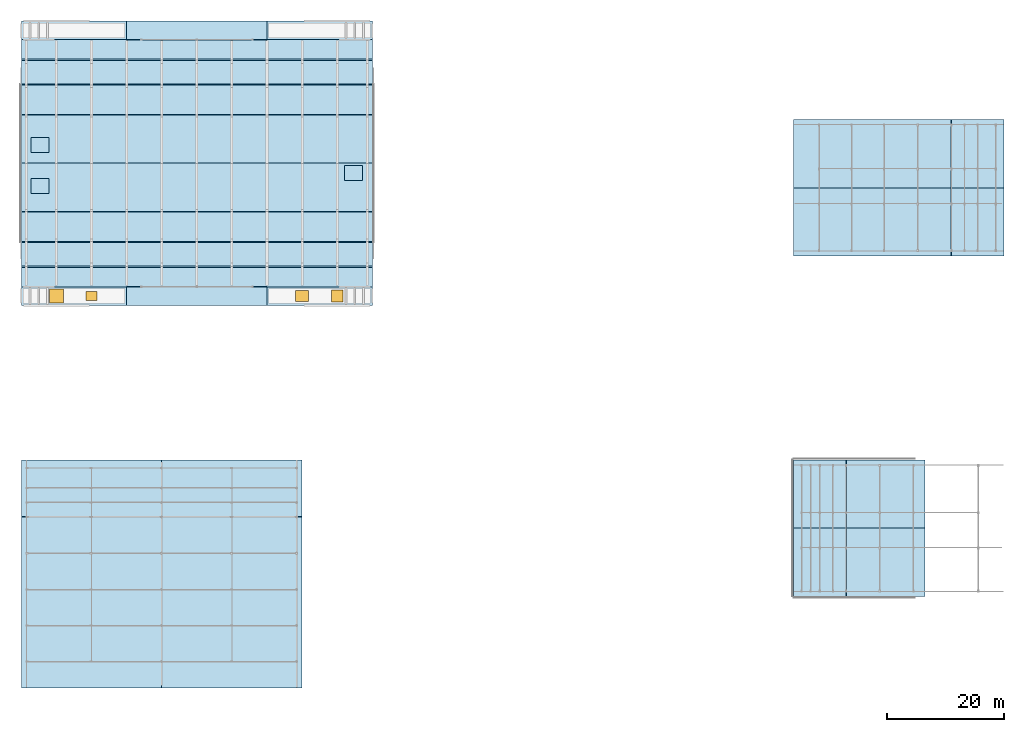
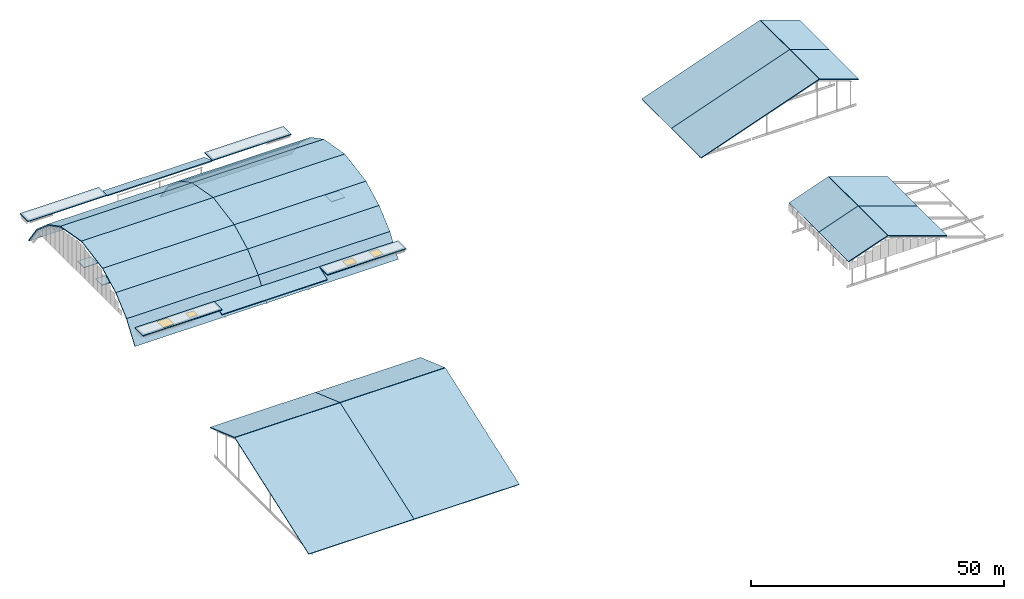
# One storey, part 37 of 42: 37 slabs, 4 windows, 4 openings.
"""IFC4 building model written with IfcOpenShell, lengths in metres."""

from ifc_helpers import new_model, si_unit, direction, frame, origin, origin_2d, place, context, subcontext, project, spatial, polyline, rectangle, outline, extrude, material, layer, layer_set, type_object, element, fill, save


model = new_model("IFC4")

# Units and contexts
model_context = context("Model", 3, precision=1e-05, world=origin(), true_north=direction((0.0, 1.0)))
body_context = subcontext(model_context, "Body", "Model", "MODEL_VIEW")
ifc_project = project(units=[si_unit("LENGTHUNIT", "METRE"), si_unit("AREAUNIT", "SQUARE_METRE"), si_unit("VOLUMEUNIT", "CUBIC_METRE"), si_unit("PLANEANGLEUNIT", "RADIAN"), si_unit("MASSUNIT", "GRAM", prefix="KILO")], contexts=[model_context])

# Site, building, storey
site_placement = place(None, origin())
site = spatial("IfcSite", under=ifc_project, at=site_placement, CompositionType="ELEMENT")
building_placement = place(site_placement, origin())
building = spatial("IfcBuilding", under=site, at=building_placement, Name="Kelmvaro Bay Concert Hall", CompositionType="ELEMENT")
storey_placement = place(building_placement, frame((0.0, 0.0, 26.699951171875)))
storey = spatial("IfcBuildingStorey", under=building, at=storey_placement, Name="RF", CompositionType="ELEMENT", Elevation=26.699951171875)

# Slabs
ifc_material_1 = material(Name="Concrete C40/50", Category="concrete")
ifc_layer_1 = layer(ifc_material_1, 0.2099609375)
ifc_layer_set_1 = layer_set([ifc_layer_1], Name="Concrete C40/50")
slab_type_1 = type_object("IfcSlabType", Name="Crystal Sloped Concrete Roof Slab 210", PredefinedType="ROOF", material=ifc_layer_set_1)
slab_1_placement = place(storey_placement, frame((0.0, 0.0, -12.89990234375), z_axis=(0.0, -0.333806298231, 0.942641689753), x_axis=(1.0, 0.0, 0.0)))
element("IfcSlab", 1, at=slab_1_placement, inside=storey, type_object=slab_type_1, Name="V3 Asymmetric Crystal Roof Primary 1", PredefinedType="ROOF", context=body_context, shape_type="SweptSolid", body=[
    extrude(outline(polyline([(0.0, 0.0), (24.0, 0.0), (24.0, 30.98216262071167), (0.0, 30.98216262071167), (0.0, 0.0)])), origin(), (0.0, 0.0, -1.0), 0.2099609375),
])
slab_2_placement = place(storey_placement, frame((0.0, 29.294921875, -2.557861328125), z_axis=(0.0, 0.333808513389, 0.942640905323), x_axis=(1.0, 0.0, 0.0)))
element("IfcSlab", 2, at=slab_2_placement, inside=storey, type_object=slab_type_1, Name="V3 Asymmetric Crystal Roof Counter 1", PredefinedType="ROOF", context=body_context, shape_type="SweptSolid", body=[
    extrude(outline(polyline([(0.0, 0.0), (24.0, 0.0), (24.0, 10.295625906102293), (0.0, 10.295625906102293), (0.0, 0.0)])), origin(), (0.0, 0.0, -1.0), 0.2099609375),
])
slab_3_placement = place(storey_placement, frame((24.0, 0.0, -12.89990234375), z_axis=(0.0, -0.333806298231, 0.942641689753), x_axis=(1.0, 0.0, 0.0)))
element("IfcSlab", 3, at=slab_3_placement, inside=storey, type_object=slab_type_1, Name="V3 Asymmetric Crystal Roof Primary 2", PredefinedType="ROOF", context=body_context, shape_type="SweptSolid", body=[
    extrude(outline(polyline([(0.0, 0.0), (24.0, 0.0), (24.0, 30.98216262071167), (0.0, 30.98216262071167), (0.0, 0.0)])), origin(), (0.0, 0.0, -1.0), 0.2099609375),
])
slab_4_placement = place(storey_placement, frame((24.0, 29.294921875, -2.557861328125), z_axis=(0.0, 0.333808513389, 0.942640905323), x_axis=(1.0, 0.0, 0.0)))
element("IfcSlab", 4, at=slab_4_placement, inside=storey, type_object=slab_type_1, Name="V3 Asymmetric Crystal Roof Counter 2", PredefinedType="ROOF", context=body_context, shape_type="SweptSolid", body=[
    extrude(outline(polyline([(0.0, 0.0), (24.0, 0.0), (24.0, 10.295625906102293), (0.0, 10.295625906102293), (0.0, 0.0)])), origin(), (0.0, 0.0, -1.0), 0.2099609375),
])
slab_5_placement = place(storey_placement, frame((132.0, 73.800048828125, -8.39990234375), z_axis=(-0.333802888806, 0.0, 0.942642897085), x_axis=(0.942642897085, 0.0, 0.333802888806)))
element("IfcSlab", 5, at=slab_5_placement, inside=storey, type_object=slab_type_1, Name="V2 Asymmetric Crystal Roof West 1", PredefinedType="ROOF", context=body_context, shape_type="SweptSolid", body=[
    extrude(outline(polyline([(0.0, 0.0), (28.59521692505053, 0.0), (28.59521692505053, 11.699951171875), (0.0, 11.699951171875), (0.0, 0.0)])), origin(), (0.0, 0.0, -1.0), 0.2099609375),
])
slab_6_placement = place(storey_placement, frame((159.044921875, 73.800048828125, 1.145263671875), z_axis=(0.333805278093, 0.0, 0.942642051002), x_axis=(0.942642051002, 0.0, -0.333805278093)))
element("IfcSlab", 6, at=slab_6_placement, inside=storey, type_object=slab_type_1, Name="V2 Asymmetric Crystal Roof East 1", PredefinedType="ROOF", context=body_context, shape_type="SweptSolid", body=[
    extrude(outline(polyline([(0.0, 0.0), (9.499977340796704, 0.0), (9.499977340796704, 11.699951171875002), (0.0, 11.699951171875002), (0.0, 0.0)])), origin(), (0.0, 0.0, -1.0), 0.2099609375),
])
slab_7_placement = place(storey_placement, frame((132.0, 85.5, -8.39990234375), z_axis=(-0.333802888806, 0.0, 0.942642897085), x_axis=(0.942642897085, 0.0, 0.333802888806)))
element("IfcSlab", 7, at=slab_7_placement, inside=storey, type_object=slab_type_1, Name="V2 Asymmetric Crystal Roof West 2", PredefinedType="ROOF", context=body_context, shape_type="SweptSolid", body=[
    extrude(outline(polyline([(0.0, 0.0), (28.59521692505053, 0.0), (28.59521692505053, 11.699951171875), (0.0, 11.699951171875), (0.0, 0.0)])), origin(), (0.0, 0.0, -1.0), 0.2099609375),
])
for number, where, z_axis, x_axis, name in (
    (8, (159.044921875, 85.5, 1.145263671875), (0.333805278093, 0.0, 0.942642051002), (0.942642051002, 0.0, -0.333805278093), "V2 Asymmetric Crystal Roof East 2"),
    (9, (132.0, 15.60009765625, 1.874267578125), (-0.333805278093, 0.0, 0.942642051002), (0.942642051002, 0.0, 0.333805278093), "V4 Asymmetric Crystal Roof West 1"),
):
    element("IfcSlab", number, at=place(storey_placement, frame(where, z_axis=z_axis, x_axis=x_axis)), inside=storey, type_object=slab_type_1, Name=name, PredefinedType="ROOF", context=body_context, shape_type="SweptSolid", body=[
        extrude(outline(polyline([(0.0, 0.0), (9.499977340796704, 0.0), (9.499977340796704, 11.699951171875002), (0.0, 11.699951171875002), (0.0, 0.0)])), origin(), (0.0, 0.0, -1.0), 0.2099609375),
    ])
slab_8_placement = place(storey_placement, frame((141.044921875, 15.60009765625, 5.04541015625), z_axis=(0.333804081456, 0.0, 0.94264247475), x_axis=(0.94264247475, 0.0, -0.333804081456)))
element("IfcSlab", 10, at=slab_8_placement, inside=storey, type_object=slab_type_1, Name="V4 Asymmetric Crystal Roof Upper East 1", PredefinedType="ROOF", context=body_context, shape_type="SweptSolid", body=[
    extrude(outline(polyline([(0.0, 0.0), (14.273787236848696, 0.0), (14.273787236848696, 11.699951171875), (0.0, 11.699951171875), (0.0, 0.0)])), origin(), (0.0, 0.0, -1.0), 0.2099609375),
])
slab_9_placement = place(storey_placement, frame((132.0, 27.300048828125, 1.874267578125), z_axis=(-0.333805278093, 0.0, 0.942642051002), x_axis=(0.942642051002, 0.0, 0.333805278093)))
element("IfcSlab", 11, at=slab_9_placement, inside=storey, type_object=slab_type_1, Name="V4 Asymmetric Crystal Roof West 2", PredefinedType="ROOF", context=body_context, shape_type="SweptSolid", body=[
    extrude(outline(polyline([(0.0, 0.0), (9.499977340796704, 0.0), (9.499977340796704, 11.699951171875002), (0.0, 11.699951171875002), (0.0, 0.0)])), origin(), (0.0, 0.0, -1.0), 0.2099609375),
])
slab_10_placement = place(storey_placement, frame((141.044921875, 27.300048828125, 5.04541015625), z_axis=(0.333804081456, 0.0, 0.94264247475), x_axis=(0.94264247475, 0.0, -0.333804081456)))
element("IfcSlab", 12, at=slab_10_placement, inside=storey, type_object=slab_type_1, Name="V4 Asymmetric Crystal Roof Upper East 2", PredefinedType="ROOF", context=body_context, shape_type="SweptSolid", body=[
    extrude(outline(polyline([(0.0, 0.0), (14.273787236848696, 0.0), (14.273787236848696, 11.699951171875), (0.0, 11.699951171875), (0.0, 0.0)])), origin(), (0.0, 0.0, -1.0), 0.2099609375),
])
slab_11_placement = place(storey_placement, frame((18.0, 65.39990234375, -1.1259765625), z_axis=(0.0, -0.333758725769, 0.942658534663), x_axis=(1.0, 0.0, 0.0)))
element("IfcSlab", 13, at=slab_11_placement, inside=storey, type_object=slab_type_1, Name="V1 Crystal Shoulder Roof South", PredefinedType="ROOF", context=body_context, shape_type="SweptSolid", body=[
    extrude(outline(polyline([(0.0, 0.0), (24.0, 0.0), (24.0, 3.3736243446697447), (0.0, 3.3736243446697447), (0.0, 0.0)])), origin(), (0.0, 0.0, -1.0), 0.2099609375),
])
slab_12_placement = place(storey_placement, frame((18.0, 110.820068359375, 0.0), z_axis=(0.0, 0.333781495512, 0.942650472473), x_axis=(1.0, 0.0, 0.0)))
element("IfcSlab", 14, at=slab_12_placement, inside=storey, type_object=slab_type_1, Name="V1 Crystal Shoulder Roof North", PredefinedType="ROOF", context=body_context, shape_type="SweptSolid", body=[
    extrude(outline(polyline([(0.0, 0.0), (24.0, 0.0), (24.0, 3.3733942044100513), (0.0, 3.3733942044100513), (0.0, 0.0)])), origin(), (0.0, 0.0, -1.0), 0.2099609375),
])

# Slab, openings, windows
ifc_material_2 = material(Name="Concrete C40/50", Category="concrete")
ifc_layer_2 = layer(ifc_material_2, 0.18994140625)
ifc_layer_set_2 = layer_set([ifc_layer_2], Name="Concrete C40/50")
slab_type_2 = type_object("IfcSlabType", Name="Flat Terrace Roof Structural Slab 190", PredefinedType="ROOF", material=ifc_layer_set_2)
slab_13_placement = place(storey_placement, frame((0.0, 0.0, -0.1298828125)))
slab_13 = element("IfcSlab", 15, at=slab_13_placement, inside=storey, type_object=slab_type_2, Name="RF Roof Slab RF-V1W", PredefinedType="ROOF", context=body_context, shape_type="SweptSolid", body=[
    extrude(outline(polyline([(0.0, 65.39990234375), (18.0, 65.39990234375), (18.0, 68.580078125), (0.0, 68.580078125), (0.0, 65.39990234375)])), origin(), (0.0, 0.0, 1.0), 0.18994140625),
])
opening_1_placement = place(slab_13_placement, frame((6.0, 67.0, 0.0)))
opening_1 = element("IfcOpeningElement", 16, at=opening_1_placement, cuts=slab_13, Name="Opening SK-01", PredefinedType="OPENING", context=body_context, shape_type="SweptSolid", body=[
    extrude(rectangle(XDim=2.39990234375, YDim=2.39990234375, at=origin_2d()), origin(), (0.0, 0.0, 1.0), 0.18994140625),
])
opening_2_placement = place(slab_13_placement, frame((12.0, 67.0, 0.0)))
opening_2 = element("IfcOpeningElement", 17, at=opening_2_placement, cuts=slab_13, Name="Opening SK-04", PredefinedType="OPENING", context=body_context, shape_type="SweptSolid", body=[
    extrude(rectangle(XDim=1.800048828125, YDim=1.60009765625, at=origin_2d()), origin(), (0.0, 0.0, 1.0), 0.18994140625),
])
ifc_material_3 = material(Name="Hurricane Laminated Insulated Skylight Glazing", Category="glass")
window_type_1 = type_object("IfcWindowType", Name="Crown Lobby Skylight 1800x1600", PartitioningType="SINGLE_PANEL", PredefinedType="SKYLIGHT", material=ifc_material_3)
window_1_placement = place(opening_2_placement, frame((0.0, 0.0, 0.139892578125)))
window_1 = element("IfcWindow", 18, at=window_1_placement, inside=storey, type_object=window_type_1, Name="RF Roof Skylight 02", OverallHeight=1.60009765625, OverallWidth=1.800048828125, PartitioningType="SINGLE_PANEL", PredefinedType="SKYLIGHT", context=body_context, shape_type="SweptSolid", body=[
    extrude(rectangle(XDim=1.800048828125, YDim=1.60009765625, at=origin_2d()), origin(), (0.0, 0.0, 1.0), 0.050048828125),
])
fill(opening_2, window_1)
ifc_material_4 = material(Name="Hurricane Laminated Insulated Skylight Glazing", Category="glass")
window_type_2 = type_object("IfcWindowType", Name="Foyer Daylight Skylight 2400x2400", PartitioningType="SINGLE_PANEL", PredefinedType="SKYLIGHT", material=ifc_material_4)
window_2_placement = place(opening_1_placement, frame((0.0, 0.0, 0.139892578125)))
window_2 = element("IfcWindow", 19, at=window_2_placement, inside=storey, type_object=window_type_2, Name="RF Roof Skylight 01", OverallHeight=2.39990234375, OverallWidth=2.39990234375, PartitioningType="SINGLE_PANEL", PredefinedType="SKYLIGHT", context=body_context, shape_type="SweptSolid", body=[
    extrude(rectangle(XDim=2.39990234375, YDim=2.39990234375, at=origin_2d()), origin(), (0.0, 0.0, 1.0), 0.050048828125),
])
fill(opening_1, window_2)

slab_14_placement = place(storey_placement, frame((0.0, 0.0, -0.1298828125)))
slab_14 = element("IfcSlab", 20, at=slab_14_placement, inside=storey, type_object=slab_type_2, Name="RF Roof Slab RF-V1E", PredefinedType="ROOF", context=body_context, shape_type="SweptSolid", body=[
    extrude(outline(polyline([(42.0, 65.39990234375), (60.0, 65.39990234375), (60.0, 68.580078125), (42.0, 68.580078125), (42.0, 65.39990234375)])), origin(), (0.0, 0.0, 1.0), 0.18994140625),
])
opening_3_placement = place(slab_14_placement, frame((48.0, 67.0, 0.0)))
opening_3 = element("IfcOpeningElement", 21, at=opening_3_placement, cuts=slab_14, Name="Opening SK-06", PredefinedType="OPENING", context=body_context, shape_type="SweptSolid", body=[
    extrude(rectangle(XDim=2.199951171875, YDim=1.800048828125, at=origin_2d()), origin(), (0.0, 0.0, 1.0), 0.18994140625),
])
opening_4_placement = place(slab_14_placement, frame((54.0, 67.0, 0.0)))
opening_4 = element("IfcOpeningElement", 22, at=opening_4_placement, cuts=slab_14, Name="Opening SK-03", PredefinedType="OPENING", context=body_context, shape_type="SweptSolid", body=[
    extrude(rectangle(XDim=2.0, YDim=2.0, at=origin_2d()), origin(), (0.0, 0.0, 1.0), 0.18994140625),
])
ifc_material_5 = material(Name="Hurricane Laminated Insulated Skylight Glazing", Category="glass")
window_type_3 = type_object("IfcWindowType", Name="East Crown Lantern Skylight 2200x1800", PartitioningType="SINGLE_PANEL", PredefinedType="SKYLIGHT", material=ifc_material_5)
window_3_placement = place(opening_3_placement, frame((0.0, 0.0, 0.139892578125)))
window_3 = element("IfcWindow", 23, at=window_3_placement, inside=storey, type_object=window_type_3, Name="RF Roof Skylight 03", OverallHeight=1.800048828125, OverallWidth=2.199951171875, PartitioningType="SINGLE_PANEL", PredefinedType="SKYLIGHT", context=body_context, shape_type="SweptSolid", body=[
    extrude(rectangle(XDim=2.199951171875, YDim=1.800048828125, at=origin_2d()), origin(), (0.0, 0.0, 1.0), 0.050048828125),
])
fill(opening_3, window_3)
ifc_material_6 = material(Name="Hurricane Laminated Insulated Skylight Glazing", Category="glass")
window_type_4 = type_object("IfcWindowType", Name="Gallery Top-Light Skylight 2000x2000", PartitioningType="SINGLE_PANEL", PredefinedType="SKYLIGHT", material=ifc_material_6)
window_4_placement = place(opening_4_placement, frame((0.0, 0.0, 0.139892578125)))
window_4 = element("IfcWindow", 24, at=window_4_placement, inside=storey, type_object=window_type_4, Name="RF Roof Skylight 04", OverallHeight=2.0, OverallWidth=2.0, PartitioningType="SINGLE_PANEL", PredefinedType="SKYLIGHT", context=body_context, shape_type="SweptSolid", body=[
    extrude(rectangle(XDim=2.0, YDim=2.0, at=origin_2d()), origin(), (0.0, 0.0, 1.0), 0.050048828125),
])
fill(opening_4, window_4)

# Slabs
slab_15_placement = place(storey_placement, frame((0.0, 0.0, -0.1298828125)))
element("IfcSlab", 25, at=slab_15_placement, inside=storey, type_object=slab_type_2, Name="RF Roof Slab RF-V1NW", PredefinedType="ROOF", context=body_context, shape_type="SweptSolid", body=[
    extrude(outline(polyline([(0.0, 110.820068359375), (18.0, 110.820068359375), (18.0, 114.0), (0.0, 114.0), (0.0, 110.820068359375)])), origin(), (0.0, 0.0, 1.0), 0.18994140625),
])
slab_16_placement = place(storey_placement, frame((0.0, 0.0, -0.1298828125)))
element("IfcSlab", 26, at=slab_16_placement, inside=storey, type_object=slab_type_2, Name="RF Roof Slab RF-V1NE", PredefinedType="ROOF", context=body_context, shape_type="SweptSolid", body=[
    extrude(outline(polyline([(42.0, 110.820068359375), (60.0, 110.820068359375), (60.0, 114.0), (42.0, 114.0), (42.0, 110.820068359375)])), origin(), (0.0, 0.0, 1.0), 0.18994140625),
])
slab_17_placement = place(storey_placement, frame((0.0, 0.0, -0.1298828125)))
element("IfcSlab", 27, at=slab_17_placement, inside=storey, type_object=slab_type_2, Name="Lift Shaft Top Slab LF-01", PredefinedType="ROOF", context=body_context, shape_type="SweptSolid", body=[
    extrude(outline(polyline([(1.655029296875, 84.530029296875), (4.7451171875, 84.530029296875), (4.7451171875, 87.070068359375), (1.655029296875, 87.070068359375), (1.655029296875, 84.530029296875)])), origin(), (0.0, 0.0, 1.0), 0.18994140625),
])
slab_18_placement = place(storey_placement, frame((0.0, 0.0, -0.1298828125)))
element("IfcSlab", 28, at=slab_18_placement, inside=storey, type_object=slab_type_2, Name="Lift Shaft Top Slab LF-02", PredefinedType="ROOF", context=body_context, shape_type="SweptSolid", body=[
    extrude(outline(polyline([(1.655029296875, 91.530029296875), (4.7451171875, 91.530029296875), (4.7451171875, 94.070068359375), (1.655029296875, 94.070068359375), (1.655029296875, 91.530029296875)])), origin(), (0.0, 0.0, 1.0), 0.18994140625),
])
slab_19_placement = place(storey_placement, frame((0.0, 0.0, -0.1298828125)))
element("IfcSlab", 29, at=slab_19_placement, inside=storey, type_object=slab_type_2, Name="Lift Shaft Top Slab LF-03", PredefinedType="ROOF", context=body_context, shape_type="SweptSolid", body=[
    extrude(outline(polyline([(55.2548828125, 86.72998046875), (58.344970703125, 86.72998046875), (58.344970703125, 89.27001953125), (55.2548828125, 89.27001953125), (55.2548828125, 86.72998046875)])), origin(), (0.0, 0.0, 1.0), 0.18994140625),
])
ifc_material_7 = material(Name="Concrete C40/50", Category="concrete")
ifc_layer_3 = layer(ifc_material_7, 0.22998046875)
ifc_layer_set_3 = layer_set([ifc_layer_3], Name="Concrete C40/50")
slab_type_3 = type_object("IfcSlabType", Name="Main Hall Thin Barrel Shell Roof 230", PredefinedType="ROOF", material=ifc_layer_set_3)
slab_20_placement = place(storey_placement, frame((0.0, 68.580078125, -4.50048828125), z_axis=(0.0, -0.816555821444, 0.577266481329), x_axis=(1.0, 0.0, 0.0)))
element("IfcSlab", 30, at=slab_20_placement, inside=storey, type_object=slab_type_3, Name="Main Hall Barrel Shell Roof Strip B1-S01", PredefinedType="ROOF", context=body_context, shape_type="SweptSolid", body=[
    extrude(outline(polyline([(0.0, 0.0), (30.0, 0.0), (30.0, 5.766587060818054), (0.0, 5.766587060818054), (0.0, 0.0)])), origin(), (0.0, 0.0, -1.0), 0.22998046875),
])
slab_21_placement = place(storey_placement, frame((0.0, 71.908935546875, 0.208251953125), z_axis=(0.0, -0.657514991732, 0.753441461328), x_axis=(1.0, 0.0, 0.0)))
element("IfcSlab", 31, at=slab_21_placement, inside=storey, type_object=slab_type_3, Name="Main Hall Barrel Shell Roof Strip B1-S02", PredefinedType="ROOF", context=body_context, shape_type="SweptSolid", body=[
    extrude(outline(polyline([(0.0, 0.0), (30.0, 0.0), (30.0, 5.627173856717737), (0.0, 5.627173856717737), (0.0, 0.0)])), origin(), (0.0, 0.0, -1.0), 0.22998046875),
])
slab_22_placement = place(storey_placement, frame((0.0, 76.148681640625, 3.908203125), z_axis=(0.0, -0.459541815907, 0.888156134603), x_axis=(1.0, 0.0, 0.0)))
element("IfcSlab", 32, at=slab_22_placement, inside=storey, type_object=slab_type_3, Name="Main Hall Barrel Shell Roof Strip B1-S03", PredefinedType="ROOF", context=body_context, shape_type="SweptSolid", body=[
    extrude(outline(polyline([(0.0, 0.0), (30.0, 0.0), (30.0, 5.865217063387927), (0.0, 5.865217063387927), (0.0, 0.0)])), origin(), (0.0, 0.0, -1.0), 0.22998046875),
])
slab_23_placement = place(storey_placement, frame((0.0, 81.35791015625, 6.603515625), z_axis=(0.0, -0.176583202463, 0.984285716958), x_axis=(1.0, 0.0, 0.0)))
element("IfcSlab", 33, at=slab_23_placement, inside=storey, type_object=slab_type_3, Name="Main Hall Barrel Shell Roof Strip B1-S04", PredefinedType="ROOF", context=body_context, shape_type="SweptSolid", body=[
    extrude(outline(polyline([(0.0, 0.0), (30.0, 0.0), (30.0, 8.475223069785843), (0.0, 8.475223069785843), (0.0, 0.0)])), origin(), (0.0, 0.0, -1.0), 0.22998046875),
])
slab_24_placement = place(storey_placement, frame((0.0, 89.699951171875, 8.10009765625), z_axis=(0.0, 0.176578195811, 0.98428661515), x_axis=(1.0, 0.0, 0.0)))
element("IfcSlab", 34, at=slab_24_placement, inside=storey, type_object=slab_type_3, Name="Main Hall Barrel Shell Roof Strip B1-S05", PredefinedType="ROOF", context=body_context, shape_type="SweptSolid", body=[
    extrude(outline(polyline([(0.0, 0.0), (30.0, 0.0), (30.0, 8.475463374025603), (0.0, 8.475463374025603), (0.0, 0.0)])), origin(), (0.0, 0.0, -1.0), 0.22998046875),
])
slab_25_placement = place(storey_placement, frame((0.0, 98.042236328125, 6.603515625), z_axis=(0.0, 0.459541815907, 0.888156134603), x_axis=(1.0, 0.0, 0.0)))
element("IfcSlab", 35, at=slab_25_placement, inside=storey, type_object=slab_type_3, Name="Main Hall Barrel Shell Roof Strip B1-S06", PredefinedType="ROOF", context=body_context, shape_type="SweptSolid", body=[
    extrude(outline(polyline([(0.0, 0.0), (30.0, 0.0), (30.0, 5.865217063387927), (0.0, 5.865217063387927), (0.0, 0.0)])), origin(), (0.0, 0.0, -1.0), 0.22998046875),
])
slab_26_placement = place(storey_placement, frame((0.0, 103.25146484375, 3.908203125), z_axis=(0.0, 0.657514991732, 0.753441461328), x_axis=(1.0, 0.0, 0.0)))
element("IfcSlab", 36, at=slab_26_placement, inside=storey, type_object=slab_type_3, Name="Main Hall Barrel Shell Roof Strip B1-S07", PredefinedType="ROOF", context=body_context, shape_type="SweptSolid", body=[
    extrude(outline(polyline([(0.0, 0.0), (30.0, 0.0), (30.0, 5.627173856717737), (0.0, 5.627173856717737), (0.0, 0.0)])), origin(), (0.0, 0.0, -1.0), 0.22998046875),
])
for number, where, z_axis, x_axis, name in (
    (37, (0.0, 107.4912109375, 0.208251953125), (0.0, 0.816555821444, 0.577266481329), (1.0, 0.0, 0.0), "Main Hall Barrel Shell Roof Strip B1-S08"),
    (38, (30.0, 68.580078125, -4.50048828125), (0.0, -0.816555821444, 0.577266481329), (1.0, 0.0, 0.0), "Main Hall Barrel Shell Roof Strip B2-S01"),
):
    element("IfcSlab", number, at=place(storey_placement, frame(where, z_axis=z_axis, x_axis=x_axis)), inside=storey, type_object=slab_type_3, Name=name, PredefinedType="ROOF", context=body_context, shape_type="SweptSolid", body=[
        extrude(outline(polyline([(0.0, 0.0), (30.0, 0.0), (30.0, 5.766587060818054), (0.0, 5.766587060818054), (0.0, 0.0)])), origin(), (0.0, 0.0, -1.0), 0.22998046875),
    ])
slab_27_placement = place(storey_placement, frame((30.0, 71.908935546875, 0.208251953125), z_axis=(0.0, -0.657514991732, 0.753441461328), x_axis=(1.0, 0.0, 0.0)))
element("IfcSlab", 39, at=slab_27_placement, inside=storey, type_object=slab_type_3, Name="Main Hall Barrel Shell Roof Strip B2-S02", PredefinedType="ROOF", context=body_context, shape_type="SweptSolid", body=[
    extrude(outline(polyline([(0.0, 0.0), (30.0, 0.0), (30.0, 5.627173856717737), (0.0, 5.627173856717737), (0.0, 0.0)])), origin(), (0.0, 0.0, -1.0), 0.22998046875),
])
slab_28_placement = place(storey_placement, frame((30.0, 76.148681640625, 3.908203125), z_axis=(0.0, -0.459541815907, 0.888156134603), x_axis=(1.0, 0.0, 0.0)))
element("IfcSlab", 40, at=slab_28_placement, inside=storey, type_object=slab_type_3, Name="Main Hall Barrel Shell Roof Strip B2-S03", PredefinedType="ROOF", context=body_context, shape_type="SweptSolid", body=[
    extrude(outline(polyline([(0.0, 0.0), (30.0, 0.0), (30.0, 5.865217063387927), (0.0, 5.865217063387927), (0.0, 0.0)])), origin(), (0.0, 0.0, -1.0), 0.22998046875),
])
slab_29_placement = place(storey_placement, frame((30.0, 81.35791015625, 6.603515625), z_axis=(0.0, -0.176583202463, 0.984285716958), x_axis=(1.0, 0.0, 0.0)))
element("IfcSlab", 41, at=slab_29_placement, inside=storey, type_object=slab_type_3, Name="Main Hall Barrel Shell Roof Strip B2-S04", PredefinedType="ROOF", context=body_context, shape_type="SweptSolid", body=[
    extrude(outline(polyline([(0.0, 0.0), (30.0, 0.0), (30.0, 8.475223069785843), (0.0, 8.475223069785843), (0.0, 0.0)])), origin(), (0.0, 0.0, -1.0), 0.22998046875),
])
slab_30_placement = place(storey_placement, frame((30.0, 89.699951171875, 8.10009765625), z_axis=(0.0, 0.176578195811, 0.98428661515), x_axis=(1.0, 0.0, 0.0)))
element("IfcSlab", 42, at=slab_30_placement, inside=storey, type_object=slab_type_3, Name="Main Hall Barrel Shell Roof Strip B2-S05", PredefinedType="ROOF", context=body_context, shape_type="SweptSolid", body=[
    extrude(outline(polyline([(0.0, 0.0), (30.0, 0.0), (30.0, 8.475463374025603), (0.0, 8.475463374025603), (0.0, 0.0)])), origin(), (0.0, 0.0, -1.0), 0.22998046875),
])
slab_31_placement = place(storey_placement, frame((30.0, 98.042236328125, 6.603515625), z_axis=(0.0, 0.459541815907, 0.888156134603), x_axis=(1.0, 0.0, 0.0)))
element("IfcSlab", 43, at=slab_31_placement, inside=storey, type_object=slab_type_3, Name="Main Hall Barrel Shell Roof Strip B2-S06", PredefinedType="ROOF", context=body_context, shape_type="SweptSolid", body=[
    extrude(outline(polyline([(0.0, 0.0), (30.0, 0.0), (30.0, 5.865217063387927), (0.0, 5.865217063387927), (0.0, 0.0)])), origin(), (0.0, 0.0, -1.0), 0.22998046875),
])
slab_32_placement = place(storey_placement, frame((30.0, 103.25146484375, 3.908203125), z_axis=(0.0, 0.657514991732, 0.753441461328), x_axis=(1.0, 0.0, 0.0)))
element("IfcSlab", 44, at=slab_32_placement, inside=storey, type_object=slab_type_3, Name="Main Hall Barrel Shell Roof Strip B2-S07", PredefinedType="ROOF", context=body_context, shape_type="SweptSolid", body=[
    extrude(outline(polyline([(0.0, 0.0), (30.0, 0.0), (30.0, 5.627173856717737), (0.0, 5.627173856717737), (0.0, 0.0)])), origin(), (0.0, 0.0, -1.0), 0.22998046875),
])
slab_33_placement = place(storey_placement, frame((30.0, 107.4912109375, 0.208251953125), z_axis=(0.0, 0.816555821444, 0.577266481329), x_axis=(1.0, 0.0, 0.0)))
element("IfcSlab", 45, at=slab_33_placement, inside=storey, type_object=slab_type_3, Name="Main Hall Barrel Shell Roof Strip B2-S08", PredefinedType="ROOF", context=body_context, shape_type="SweptSolid", body=[
    extrude(outline(polyline([(0.0, 0.0), (30.0, 0.0), (30.0, 5.766587060818054), (0.0, 5.766587060818054), (0.0, 0.0)])), origin(), (0.0, 0.0, -1.0), 0.22998046875),
])

save(model, "model.ifc")
